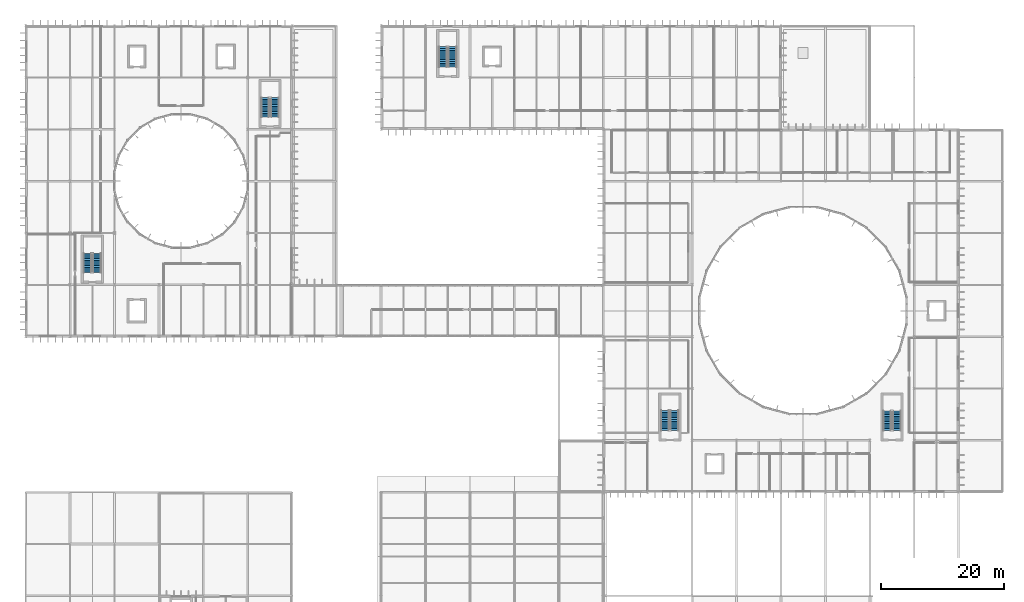
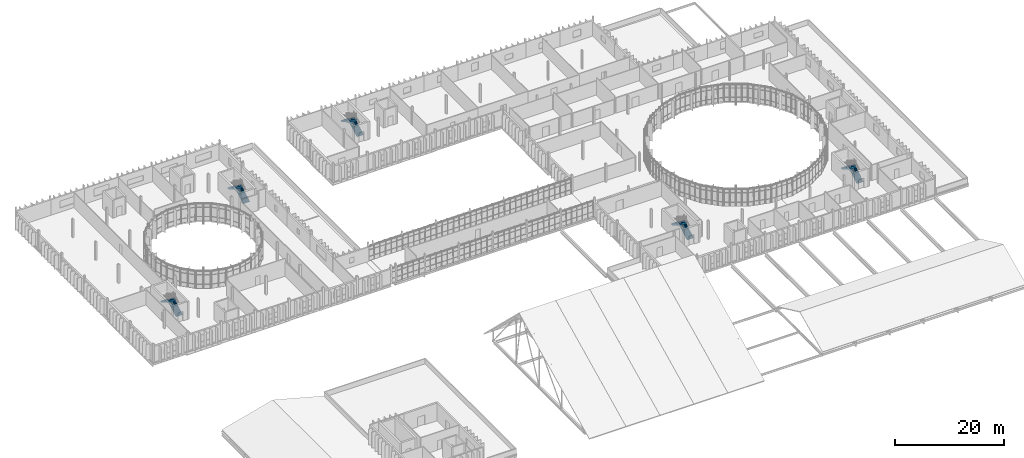
# One storey, part 85 of 99: 10 stair flights, 5 elements without a shape of their own.
"""IFC4 building model written with IfcOpenShell, lengths in metres."""

from ifc_helpers import new_model, si_unit, direction, frame, origin, place, context, subcontext, project, spatial, polyline, outline, extrude, material, type_object, element, aggregate, save


model = new_model("IFC4")

# Units and contexts
model_context = context("Model", 3, precision=1e-05, world=origin(), true_north=direction((0.0, 1.0)))
body_context = subcontext(model_context, "Body", "Model", "MODEL_VIEW")
ifc_project = project(units=[si_unit("LENGTHUNIT", "METRE"), si_unit("AREAUNIT", "SQUARE_METRE"), si_unit("VOLUMEUNIT", "CUBIC_METRE"), si_unit("PLANEANGLEUNIT", "RADIAN"), si_unit("MASSUNIT", "GRAM", prefix="KILO")], contexts=[model_context])

# Site, building, storey
site_placement = place(None, origin())
site = spatial("IfcSite", under=ifc_project, at=site_placement, CompositionType="ELEMENT")
building_placement = place(site_placement, origin())
building = spatial("IfcBuilding", under=site, at=building_placement, Name="Qelthora Terrace Specialist Clinic", CompositionType="ELEMENT")
storey_placement = place(building_placement, frame((0.0, 0.0, 9.0)))
storey = spatial("IfcBuildingStorey", under=building, at=storey_placement, Name="L02", CompositionType="ELEMENT", Elevation=9.0)

# Stair, stair flights
ifc_material = material(Name="Concrete C30/37", Category="concrete")
stair_type_1 = type_object("IfcStairType", Name="STR-175-280", PredefinedType="HALF_TURN_STAIR", material=ifc_material)
stair_1_placement = place(storey_placement, origin())
stair_1 = element("IfcStair", 1, at=stair_1_placement, inside=storey, type_object=stair_type_1, Name="L02 Enclosed Exit Stair ST-01", PredefinedType="HALF_TURN_STAIR")
stair_flight_type_1 = type_object("IfcStairFlightType", Name="SFL-175-280", PredefinedType="STRAIGHT", material=ifc_material)
stair_flight_1_placement = place(storey_placement, frame((11.574951171875, 69.199951171875, 0.0), z_axis=(0.0, 0.0, 1.0), x_axis=(0.0, 1.0, 0.0)))
stair_flight_1 = element("IfcStairFlight", 2, at=stair_flight_1_placement, type_object=stair_flight_type_1, Name="ST-01 flight 1", NumberOfRisers=12, NumberOfTreads=11, PredefinedType="STRAIGHT", RiserHeight=0.175, TreadLength=0.28, context=body_context, shape_type="SweptSolid", body=[
    extrude(outline(polyline([(-0.001953125, 0.0), (-0.001953125, 0.175048828125), (0.280029296875, 0.175048828125), (0.280029296875, 0.35009765625), (0.56005859375, 0.35009765625), (0.56005859375, 0.52490234375), (0.840087890625, 0.52490234375), (0.840087890625, 0.699951171875), (1.1201171875, 0.699951171875), (1.1201171875, 0.875), (1.39990234375, 0.875), (1.39990234375, 1.050048828125), (1.679931640625, 1.050048828125), (1.679931640625, 1.22509765625), (1.9599609375, 1.22509765625), (1.9599609375, 1.39990234375), (2.239990234375, 1.39990234375), (2.239990234375, 1.574951171875), (2.52001953125, 1.574951171875), (2.52001953125, 1.75), (2.800048828125, 1.75), (2.800048828125, 1.925048828125), (3.080078125, 1.925048828125), (3.080078125, 2.10009765625), (3.08203125, 2.10009765625), (3.08203125, 1.712890625), (3.080078125, 1.712890625), (0.339599609375, 0.0), (-0.001953125, 0.0)])), frame((0.0, 0.675048828125, 0.0), z_axis=(0.0, -1.0, 0.0), x_axis=(1.0, 0.0, 0.0)), (0.0, 0.0, 1.0), 1.35009765625),
])
stair_flight_2_placement = place(storey_placement, frame((10.02490234375, 72.280029296875, 2.10009765625), z_axis=(0.0, 0.0, 1.0), x_axis=(0.0, -1.0, 0.0)))
stair_flight_2 = element("IfcStairFlight", 3, at=stair_flight_2_placement, type_object=stair_flight_type_1, Name="ST-01 flight 2", NumberOfRisers=12, NumberOfTreads=11, PredefinedType="STRAIGHT", RiserHeight=0.175, TreadLength=0.28, context=body_context, shape_type="SweptSolid", body=[
    extrude(outline(polyline([(-0.001953125, 0.0), (-0.001953125, 0.175048828125), (0.280029296875, 0.175048828125), (0.280029296875, 0.35009765625), (0.56005859375, 0.35009765625), (0.56005859375, 0.52490234375), (0.840087890625, 0.52490234375), (0.840087890625, 0.699951171875), (1.1201171875, 0.699951171875), (1.1201171875, 0.875), (1.39990234375, 0.875), (1.39990234375, 1.050048828125), (1.679931640625, 1.050048828125), (1.679931640625, 1.22509765625), (1.9599609375, 1.22509765625), (1.9599609375, 1.39990234375), (2.239990234375, 1.39990234375), (2.239990234375, 1.574951171875), (2.52001953125, 1.574951171875), (2.52001953125, 1.75), (2.800048828125, 1.75), (2.800048828125, 1.925048828125), (3.080078125, 1.925048828125), (3.080078125, 2.10009765625), (3.08203125, 2.10009765625), (3.08203125, 1.712890625), (3.080078125, 1.712890625), (0.339599609375, 0.0), (-0.001953125, 0.0)])), frame((0.0, 0.675048828125, 0.0), z_axis=(0.0, -1.0, 0.0), x_axis=(1.0, 0.0, 0.0)), (0.0, 0.0, 1.0), 1.35009765625),
])
aggregate(stair_1, [stair_flight_1, stair_flight_2])

stair_type_2 = type_object("IfcStairType", Name="STR-175-285", PredefinedType="HALF_TURN_STAIR", material=ifc_material)
stair_2_placement = place(storey_placement, origin())
stair_2 = element("IfcStair", 4, at=stair_2_placement, inside=storey, type_object=stair_type_2, Name="L02 Enclosed Exit Stair ST-02", PredefinedType="HALF_TURN_STAIR")
stair_flight_type_2 = type_object("IfcStairFlightType", Name="SFL-175-285", PredefinedType="STRAIGHT", material=ifc_material)
stair_flight_3_placement = place(storey_placement, frame((40.375, 94.39990234375, 0.0), z_axis=(0.0, 0.0, 1.0), x_axis=(0.0, 1.0, 0.0)))
stair_flight_3 = element("IfcStairFlight", 5, at=stair_flight_3_placement, type_object=stair_flight_type_2, Name="ST-02 flight 1", NumberOfRisers=12, NumberOfTreads=11, PredefinedType="STRAIGHT", RiserHeight=0.175, TreadLength=0.285, context=body_context, shape_type="SweptSolid", body=[
    extrude(outline(polyline([(-0.001953125, 0.0), (-0.001953125, 0.175048828125), (0.284912109375, 0.175048828125), (0.284912109375, 0.35009765625), (0.570068359375, 0.35009765625), (0.570068359375, 0.52490234375), (0.85498046875, 0.52490234375), (0.85498046875, 0.699951171875), (1.139892578125, 0.699951171875), (1.139892578125, 0.875), (1.425048828125, 0.875), (1.425048828125, 1.050048828125), (1.7099609375, 1.050048828125), (1.7099609375, 1.22509765625), (1.9951171875, 1.22509765625), (1.9951171875, 1.39990234375), (2.280029296875, 1.39990234375), (2.280029296875, 1.574951171875), (2.56494140625, 1.574951171875), (2.56494140625, 1.75), (2.85009765625, 1.75), (2.85009765625, 1.925048828125), (3.135009765625, 1.925048828125), (3.135009765625, 2.10009765625), (3.136962890625, 2.10009765625), (3.136962890625, 1.7138671875), (3.135009765625, 1.7138671875), (0.34375, 0.0), (-0.001953125, 0.0)])), frame((0.0, 0.675048828125, 0.0), z_axis=(0.0, -1.0, 0.0), x_axis=(1.0, 0.0, 0.0)), (0.0, 0.0, 1.0), 1.35009765625),
])
stair_flight_4_placement = place(storey_placement, frame((38.824951171875, 97.534912109375, 2.10009765625), z_axis=(0.0, 0.0, 1.0), x_axis=(0.0, -1.0, 0.0)))
stair_flight_4 = element("IfcStairFlight", 6, at=stair_flight_4_placement, type_object=stair_flight_type_2, Name="ST-02 flight 2", NumberOfRisers=12, NumberOfTreads=11, PredefinedType="STRAIGHT", RiserHeight=0.175, TreadLength=0.285, context=body_context, shape_type="SweptSolid", body=[
    extrude(outline(polyline([(-0.001953125, 0.0), (-0.001953125, 0.175048828125), (0.284912109375, 0.175048828125), (0.284912109375, 0.35009765625), (0.570068359375, 0.35009765625), (0.570068359375, 0.52490234375), (0.85498046875, 0.52490234375), (0.85498046875, 0.699951171875), (1.139892578125, 0.699951171875), (1.139892578125, 0.875), (1.425048828125, 0.875), (1.425048828125, 1.050048828125), (1.7099609375, 1.050048828125), (1.7099609375, 1.22509765625), (1.9951171875, 1.22509765625), (1.9951171875, 1.39990234375), (2.280029296875, 1.39990234375), (2.280029296875, 1.574951171875), (2.56494140625, 1.574951171875), (2.56494140625, 1.75), (2.85009765625, 1.75), (2.85009765625, 1.925048828125), (3.135009765625, 1.925048828125), (3.135009765625, 2.10009765625), (3.136962890625, 2.10009765625), (3.136962890625, 1.7138671875), (3.135009765625, 1.7138671875), (0.34375, 0.0), (-0.001953125, 0.0)])), frame((0.0, 0.675048828125, 0.0), z_axis=(0.0, -1.0, 0.0), x_axis=(1.0, 0.0, 0.0)), (0.0, 0.0, 1.0), 1.35009765625),
])
aggregate(stair_2, [stair_flight_3, stair_flight_4])

stair_3_placement = place(storey_placement, origin())
stair_3 = element("IfcStair", 7, at=stair_3_placement, inside=storey, type_object=stair_type_2, Name="L02 Enclosed Exit Stair ST-06", PredefinedType="HALF_TURN_STAIR")
stair_flight_5_placement = place(storey_placement, frame((141.175048828125, 43.60009765625, 0.0), z_axis=(0.0, 0.0, 1.0), x_axis=(0.0, 1.0, 0.0)))
stair_flight_5 = element("IfcStairFlight", 8, at=stair_flight_5_placement, type_object=stair_flight_type_2, Name="ST-06 flight 1", NumberOfRisers=12, NumberOfTreads=11, PredefinedType="STRAIGHT", RiserHeight=0.175, TreadLength=0.285, context=body_context, shape_type="SweptSolid", body=[
    extrude(outline(polyline([(-0.001953125, 0.0), (-0.001953125, 0.175048828125), (0.284912109375, 0.175048828125), (0.284912109375, 0.35009765625), (0.570068359375, 0.35009765625), (0.570068359375, 0.52490234375), (0.85498046875, 0.52490234375), (0.85498046875, 0.699951171875), (1.139892578125, 0.699951171875), (1.139892578125, 0.875), (1.425048828125, 0.875), (1.425048828125, 1.050048828125), (1.7099609375, 1.050048828125), (1.7099609375, 1.22509765625), (1.9951171875, 1.22509765625), (1.9951171875, 1.39990234375), (2.280029296875, 1.39990234375), (2.280029296875, 1.574951171875), (2.56494140625, 1.574951171875), (2.56494140625, 1.75), (2.85009765625, 1.75), (2.85009765625, 1.925048828125), (3.135009765625, 1.925048828125), (3.135009765625, 2.10009765625), (3.136962890625, 2.10009765625), (3.136962890625, 1.7138671875), (3.135009765625, 1.7138671875), (0.34375, 0.0), (-0.001953125, 0.0)])), frame((0.0, 0.675048828125, 0.0), z_axis=(0.0, -1.0, 0.0), x_axis=(1.0, 0.0, 0.0)), (0.0, 0.0, 1.0), 1.35009765625),
])
stair_flight_6_placement = place(storey_placement, frame((139.625, 46.735107421875, 2.10009765625), z_axis=(0.0, 0.0, 1.0), x_axis=(0.0, -1.0, 0.0)))
stair_flight_6 = element("IfcStairFlight", 9, at=stair_flight_6_placement, type_object=stair_flight_type_2, Name="ST-06 flight 2", NumberOfRisers=12, NumberOfTreads=11, PredefinedType="STRAIGHT", RiserHeight=0.175, TreadLength=0.285, context=body_context, shape_type="SweptSolid", body=[
    extrude(outline(polyline([(-0.001953125, 0.0), (-0.001953125, 0.175048828125), (0.284912109375, 0.175048828125), (0.284912109375, 0.35009765625), (0.570068359375, 0.35009765625), (0.570068359375, 0.52490234375), (0.85498046875, 0.52490234375), (0.85498046875, 0.699951171875), (1.139892578125, 0.699951171875), (1.139892578125, 0.875), (1.425048828125, 0.875), (1.425048828125, 1.050048828125), (1.7099609375, 1.050048828125), (1.7099609375, 1.22509765625), (1.9951171875, 1.22509765625), (1.9951171875, 1.39990234375), (2.280029296875, 1.39990234375), (2.280029296875, 1.574951171875), (2.56494140625, 1.574951171875), (2.56494140625, 1.75), (2.85009765625, 1.75), (2.85009765625, 1.925048828125), (3.135009765625, 1.925048828125), (3.135009765625, 2.10009765625), (3.136962890625, 2.10009765625), (3.136962890625, 1.7138671875), (3.135009765625, 1.7138671875), (0.34375, 0.0), (-0.001953125, 0.0)])), frame((0.0, 0.675048828125, 0.0), z_axis=(0.0, -1.0, 0.0), x_axis=(1.0, 0.0, 0.0)), (0.0, 0.0, 1.0), 1.35009765625),
])
aggregate(stair_3, [stair_flight_5, stair_flight_6])

stair_type_3 = type_object("IfcStairType", Name="STR-175-295", PredefinedType="HALF_TURN_STAIR", material=ifc_material)
stair_4_placement = place(storey_placement, origin())
stair_4 = element("IfcStair", 10, at=stair_4_placement, inside=storey, type_object=stair_type_3, Name="L02 Enclosed Exit Stair ST-05", PredefinedType="HALF_TURN_STAIR")
stair_flight_type_3 = type_object("IfcStairFlightType", Name="SFL-175-295", PredefinedType="STRAIGHT", material=ifc_material)
stair_flight_7_placement = place(storey_placement, frame((105.175048828125, 43.60009765625, 0.0), z_axis=(0.0, 0.0, 1.0), x_axis=(0.0, 1.0, 0.0)))
stair_flight_7 = element("IfcStairFlight", 11, at=stair_flight_7_placement, type_object=stair_flight_type_3, Name="ST-05 flight 1", NumberOfRisers=12, NumberOfTreads=11, PredefinedType="STRAIGHT", RiserHeight=0.175, TreadLength=0.295, context=body_context, shape_type="SweptSolid", body=[
    extrude(outline(polyline([(-0.001953125, 0.0), (-0.001953125, 0.175048828125), (0.294921875, 0.175048828125), (0.294921875, 0.35009765625), (0.590087890625, 0.35009765625), (0.590087890625, 0.52490234375), (0.885009765625, 0.52490234375), (0.885009765625, 0.699951171875), (1.179931640625, 0.699951171875), (1.179931640625, 0.875), (1.47509765625, 0.875), (1.47509765625, 1.050048828125), (1.77001953125, 1.050048828125), (1.77001953125, 1.22509765625), (2.06494140625, 1.22509765625), (2.06494140625, 1.39990234375), (2.360107421875, 1.39990234375), (2.360107421875, 1.574951171875), (2.655029296875, 1.574951171875), (2.655029296875, 1.75), (2.949951171875, 1.75), (2.949951171875, 1.925048828125), (3.2451171875, 1.925048828125), (3.2451171875, 2.10009765625), (3.2470703125, 2.10009765625), (3.2470703125, 1.7158203125), (3.2451171875, 1.7158203125), (0.352783203125, 0.0), (-0.001953125, 0.0)])), frame((0.0, 0.675048828125, 0.0), z_axis=(0.0, -1.0, 0.0), x_axis=(1.0, 0.0, 0.0)), (0.0, 0.0, 1.0), 1.35009765625),
])
stair_flight_8_placement = place(storey_placement, frame((103.625, 46.844970703125, 2.10009765625), z_axis=(0.0, 0.0, 1.0), x_axis=(0.0, -1.0, 0.0)))
stair_flight_8 = element("IfcStairFlight", 12, at=stair_flight_8_placement, type_object=stair_flight_type_3, Name="ST-05 flight 2", NumberOfRisers=12, NumberOfTreads=11, PredefinedType="STRAIGHT", RiserHeight=0.175, TreadLength=0.295, context=body_context, shape_type="SweptSolid", body=[
    extrude(outline(polyline([(-0.001953125, 0.0), (-0.001953125, 0.175048828125), (0.294921875, 0.175048828125), (0.294921875, 0.35009765625), (0.590087890625, 0.35009765625), (0.590087890625, 0.52490234375), (0.885009765625, 0.52490234375), (0.885009765625, 0.699951171875), (1.179931640625, 0.699951171875), (1.179931640625, 0.875), (1.47509765625, 0.875), (1.47509765625, 1.050048828125), (1.77001953125, 1.050048828125), (1.77001953125, 1.22509765625), (2.06494140625, 1.22509765625), (2.06494140625, 1.39990234375), (2.360107421875, 1.39990234375), (2.360107421875, 1.574951171875), (2.655029296875, 1.574951171875), (2.655029296875, 1.75), (2.949951171875, 1.75), (2.949951171875, 1.925048828125), (3.2451171875, 1.925048828125), (3.2451171875, 2.10009765625), (3.2470703125, 2.10009765625), (3.2470703125, 1.7158203125), (3.2451171875, 1.7158203125), (0.352783203125, 0.0), (-0.001953125, 0.0)])), frame((0.0, 0.675048828125, 0.0), z_axis=(0.0, -1.0, 0.0), x_axis=(1.0, 0.0, 0.0)), (0.0, 0.0, 1.0), 1.35009765625),
])
aggregate(stair_4, [stair_flight_7, stair_flight_8])

stair_type_4 = type_object("IfcStairType", Name="STR-175-300", PredefinedType="HALF_TURN_STAIR", material=ifc_material)
stair_5_placement = place(storey_placement, origin())
stair_5 = element("IfcStair", 13, at=stair_5_placement, inside=storey, type_object=stair_type_4, Name="L02 Enclosed Exit Stair ST-07", PredefinedType="HALF_TURN_STAIR")
stair_flight_type_4 = type_object("IfcStairFlightType", Name="SFL-175-300", PredefinedType="STRAIGHT", material=ifc_material)
stair_flight_9_placement = place(storey_placement, frame((69.175048828125, 102.5, 0.0), z_axis=(0.0, 0.0, 1.0), x_axis=(0.0, 1.0, 0.0)))
stair_flight_9 = element("IfcStairFlight", 14, at=stair_flight_9_placement, type_object=stair_flight_type_4, Name="ST-07 flight 1", NumberOfRisers=12, NumberOfTreads=11, PredefinedType="STRAIGHT", RiserHeight=0.175, TreadLength=0.3, context=body_context, shape_type="SweptSolid", body=[
    extrude(outline(polyline([(-0.001953125, 0.0), (-0.001953125, 0.175048828125), (0.300048828125, 0.175048828125), (0.300048828125, 0.35009765625), (0.60009765625, 0.35009765625), (0.60009765625, 0.52490234375), (0.89990234375, 0.52490234375), (0.89990234375, 0.699951171875), (1.199951171875, 0.699951171875), (1.199951171875, 0.875), (1.5, 0.875), (1.5, 1.050048828125), (1.800048828125, 1.050048828125), (1.800048828125, 1.22509765625), (2.10009765625, 1.22509765625), (2.10009765625, 1.39990234375), (2.39990234375, 1.39990234375), (2.39990234375, 1.574951171875), (2.699951171875, 1.574951171875), (2.699951171875, 1.75), (3.0, 1.75), (3.0, 1.925048828125), (3.300048828125, 1.925048828125), (3.300048828125, 2.10009765625), (3.302001953125, 2.10009765625), (3.302001953125, 1.716796875), (3.300048828125, 1.716796875), (0.357177734375, 0.0), (-0.001953125, 0.0)])), frame((0.0, 0.675048828125, 0.0), z_axis=(0.0, -1.0, 0.0), x_axis=(1.0, 0.0, 0.0)), (0.0, 0.0, 1.0), 1.35009765625),
])
stair_flight_10_placement = place(storey_placement, frame((67.625, 105.800048828125, 2.10009765625), z_axis=(0.0, 0.0, 1.0), x_axis=(0.0, -1.0, 0.0)))
stair_flight_10 = element("IfcStairFlight", 15, at=stair_flight_10_placement, type_object=stair_flight_type_4, Name="ST-07 flight 2", NumberOfRisers=12, NumberOfTreads=11, PredefinedType="STRAIGHT", RiserHeight=0.175, TreadLength=0.3, context=body_context, shape_type="SweptSolid", body=[
    extrude(outline(polyline([(-0.001953125, 0.0), (-0.001953125, 0.175048828125), (0.300048828125, 0.175048828125), (0.300048828125, 0.35009765625), (0.60009765625, 0.35009765625), (0.60009765625, 0.52490234375), (0.89990234375, 0.52490234375), (0.89990234375, 0.699951171875), (1.199951171875, 0.699951171875), (1.199951171875, 0.875), (1.5, 0.875), (1.5, 1.050048828125), (1.800048828125, 1.050048828125), (1.800048828125, 1.22509765625), (2.10009765625, 1.22509765625), (2.10009765625, 1.39990234375), (2.39990234375, 1.39990234375), (2.39990234375, 1.574951171875), (2.699951171875, 1.574951171875), (2.699951171875, 1.75), (3.0, 1.75), (3.0, 1.925048828125), (3.300048828125, 1.925048828125), (3.300048828125, 2.10009765625), (3.302001953125, 2.10009765625), (3.302001953125, 1.716796875), (3.300048828125, 1.716796875), (0.357177734375, 0.0), (-0.001953125, 0.0)])), frame((0.0, 0.675048828125, 0.0), z_axis=(0.0, -1.0, 0.0), x_axis=(1.0, 0.0, 0.0)), (0.0, 0.0, 1.0), 1.35009765625),
])
aggregate(stair_5, [stair_flight_9, stair_flight_10])

save(model, "model.ifc")
